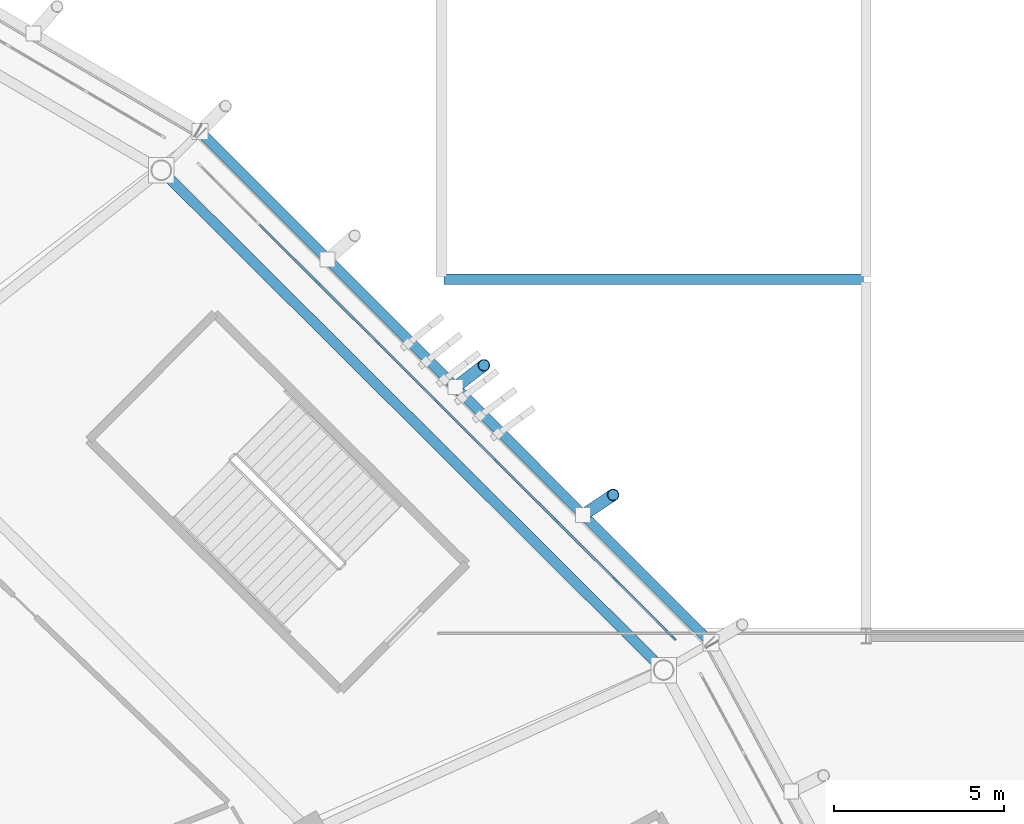
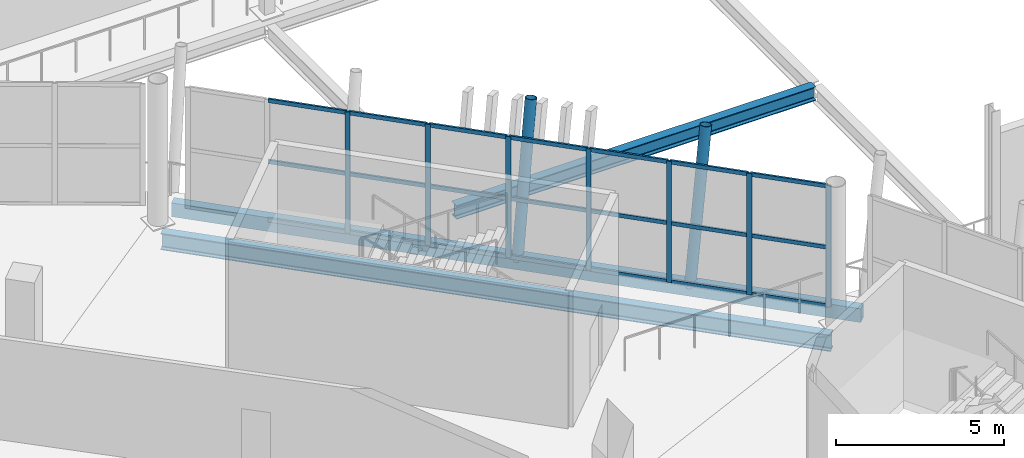
# One storey, part 63 of 178: 30 members, 3 beams, 1 element without a shape of its own.
"""IFC4 building model written with IfcOpenShell, lengths in metres."""

from ifc_helpers import new_model, si_unit, direction, frame, origin, origin_2d, place, context, subcontext, project, spatial, rectangle, hollow_rectangle, hollow_circle, i_section, extrude, material, material_profile, profile_set, type_object, element, aggregate, save


model = new_model("IFC4")

# Units and contexts
model_context = context("Model", 3, precision=1e-05, world=origin(), true_north=direction((0.0, 1.0)))
body_context = subcontext(model_context, "Body", "Model", "MODEL_VIEW")
ifc_project = project(units=[si_unit("LENGTHUNIT", "METRE"), si_unit("AREAUNIT", "SQUARE_METRE"), si_unit("VOLUMEUNIT", "CUBIC_METRE"), si_unit("PLANEANGLEUNIT", "RADIAN"), si_unit("MASSUNIT", "GRAM", prefix="KILO")], contexts=[model_context])

# Site, building, storey
site_placement = place(None, origin())
site = spatial("IfcSite", under=ifc_project, at=site_placement, CompositionType="ELEMENT")
building_placement = place(site_placement, origin())
building = spatial("IfcBuilding", under=site, at=building_placement, Name="Zlatoyarsky Gate Stadium", CompositionType="ELEMENT")
storey_placement = place(building_placement, frame((0.0, 0.0, 5.39990234375)))
storey = spatial("IfcBuildingStorey", under=building, at=storey_placement, Name="L01", CompositionType="ELEMENT", Elevation=5.39990234375)

# Curtain wall, members
ifc_material_1 = material(Name="Thermally broken anodised aluminium curtain wall", Category="aluminium")
curtain_wall_type = type_object("IfcCurtainWallType", Name="UNITISED HOSPITALITY GLAZING L01", PredefinedType="USERDEFINED", material=ifc_material_1)
curtain_wall_placement = place(storey_placement, origin())
curtain_wall = element("IfcCurtainWall", 1, at=curtain_wall_placement, inside=storey, type_object=curtain_wall_type, Name="Curtain wall CW-L01-02", ObjectType="UNITISED GLAZING", PredefinedType="USERDEFINED")
ifc_material_2 = material(Name="Anodised aluminium 6063-T6", Category="aluminium")
ifc_material_profile_1 = material_profile(ifc_material_2, rectangle(XDim=0.06494140625, YDim=0.159912109375, at=origin_2d()), Name="ALU 65X160")
ifc_profile_set_1 = profile_set([ifc_material_profile_1], Name="Anodised aluminium 6063-T6")
member_type_1 = type_object("IfcMemberType", Name="ALUMINIUM MULLION 65X160", PredefinedType="MULLION", material=ifc_profile_set_1)
member_1_placement = place(storey_placement, frame((191.843994140625, 116.436279296875, 0.0), z_axis=(0.0, 0.0, 1.0), x_axis=(-0.706370937898, -0.707841859523, 0.0)))
member_1 = element("IfcMember", 2, at=member_1_placement, type_object=member_type_1, Name="CW-UG1 mullion 1", PredefinedType="MULLION", context=body_context, shape_type="SweptSolid", body=[
    extrude(rectangle(XDim=0.06494140625, YDim=0.159912109375, at=origin_2d()), origin(), (0.0, 0.0, 1.0), 4.400146484375),
])
member_2_placement = place(storey_placement, frame((190.116455078125, 118.16015625, 0.0), z_axis=(0.0, 0.0, 1.0), x_axis=(-0.706370937898, -0.707841859523, 0.0)))
member_2 = element("IfcMember", 3, at=member_2_placement, type_object=member_type_1, Name="CW-UG1 mullion 2", PredefinedType="MULLION", context=body_context, shape_type="SweptSolid", body=[
    extrude(rectangle(XDim=0.06494140625, YDim=0.159912109375, at=origin_2d()), origin(), (0.0, 0.0, 1.0), 4.400146484375),
])
member_3_placement = place(storey_placement, frame((188.3662109375, 119.906982421875, 0.0), z_axis=(0.0, 0.0, 1.0), x_axis=(-0.706370937898, -0.707841859523, 0.0)))
member_3 = element("IfcMember", 4, at=member_3_placement, type_object=member_type_1, Name="CW-UG1 mullion 3", PredefinedType="MULLION", context=body_context, shape_type="SweptSolid", body=[
    extrude(rectangle(XDim=0.06494140625, YDim=0.159912109375, at=origin_2d()), origin(), (0.0, 0.0, 1.0), 4.400146484375),
])
member_4_placement = place(storey_placement, frame((186.61572265625, 121.65380859375, 0.0), z_axis=(0.0, 0.0, 1.0), x_axis=(-0.706370937898, -0.707841859523, 0.0)))
member_4 = element("IfcMember", 5, at=member_4_placement, type_object=member_type_1, Name="CW-UG1 mullion 4", PredefinedType="MULLION", context=body_context, shape_type="SweptSolid", body=[
    extrude(rectangle(XDim=0.06494140625, YDim=0.159912109375, at=origin_2d()), origin(), (0.0, 0.0, 1.0), 4.400146484375),
])
member_5_placement = place(storey_placement, frame((184.865234375, 123.400634765625, 0.0), z_axis=(0.0, 0.0, 1.0), x_axis=(-0.706370937898, -0.707841859523, 0.0)))
member_5 = element("IfcMember", 6, at=member_5_placement, type_object=member_type_1, Name="CW-UG1 mullion 5", PredefinedType="MULLION", context=body_context, shape_type="SweptSolid", body=[
    extrude(rectangle(XDim=0.06494140625, YDim=0.159912109375, at=origin_2d()), origin(), (0.0, 0.0, 1.0), 4.400146484375),
])
member_6_placement = place(storey_placement, frame((183.11474609375, 125.1474609375, 0.0), z_axis=(0.0, 0.0, 1.0), x_axis=(-0.706370937898, -0.707841859523, 0.0)))
member_6 = element("IfcMember", 7, at=member_6_placement, type_object=member_type_1, Name="CW-UG1 mullion 6", PredefinedType="MULLION", context=body_context, shape_type="SweptSolid", body=[
    extrude(rectangle(XDim=0.06494140625, YDim=0.159912109375, at=origin_2d()), origin(), (0.0, 0.0, 1.0), 4.400146484375),
])
member_7_placement = place(storey_placement, frame((181.3642578125, 126.894287109375, 0.0), z_axis=(0.0, 0.0, 1.0), x_axis=(-0.706370937898, -0.707841859523, 0.0)))
member_7 = element("IfcMember", 8, at=member_7_placement, type_object=member_type_1, Name="CW-UG1 mullion 7", PredefinedType="MULLION", context=body_context, shape_type="SweptSolid", body=[
    extrude(rectangle(XDim=0.06494140625, YDim=0.159912109375, at=origin_2d()), origin(), (0.0, 0.0, 1.0), 4.400146484375),
])
ifc_material_profile_2 = material_profile(ifc_material_2, rectangle(XDim=0.06494140625, YDim=0.139892578125, at=origin_2d()), Name="ALU 65X140")
ifc_profile_set_2 = profile_set([ifc_material_profile_2], Name="Anodised aluminium 6063-T6")
member_type_2 = type_object("IfcMemberType", Name="ALUMINIUM TRANSOM 65X140", PredefinedType="USERDEFINED", material=ifc_profile_set_2)
member_8_placement = place(storey_placement, frame((191.821044921875, 116.459228515625, 0.03271484375), z_axis=(-0.707825854859, 0.706386975526, 0.0), x_axis=(-0.706386975526, -0.707825854859, 0.0)))
member_8 = element("IfcMember", 9, at=member_8_placement, type_object=member_type_2, Name="CW-UG1 transom 1.1", ObjectType="TRANSOM", PredefinedType="USERDEFINED", context=body_context, shape_type="SweptSolid", body=[
    extrude(rectangle(XDim=0.06494140625, YDim=0.139892578125, at=origin_2d()), origin(), (0.0, 0.0, 1.0), 2.37548828125),
])
member_9_placement = place(storey_placement, frame((191.821044921875, 116.459228515625, 2.150146484375), z_axis=(-0.707825854859, 0.706386975526, 0.0), x_axis=(-0.706386975526, -0.707825854859, 0.0)))
member_9 = element("IfcMember", 10, at=member_9_placement, type_object=member_type_2, Name="CW-UG1 transom 1.2", ObjectType="TRANSOM", PredefinedType="USERDEFINED", context=body_context, shape_type="SweptSolid", body=[
    extrude(rectangle(XDim=0.06494140625, YDim=0.139892578125, at=origin_2d()), origin(), (0.0, 0.0, 1.0), 2.37548828125),
])
member_10_placement = place(storey_placement, frame((191.821044921875, 116.459228515625, 4.36767578125), z_axis=(-0.707825854859, 0.706386975526, 0.0), x_axis=(-0.706386975526, -0.707825854859, 0.0)))
member_10 = element("IfcMember", 11, at=member_10_placement, type_object=member_type_2, Name="CW-UG1 transom 1.3", ObjectType="TRANSOM", PredefinedType="USERDEFINED", context=body_context, shape_type="SweptSolid", body=[
    extrude(rectangle(XDim=0.06494140625, YDim=0.139892578125, at=origin_2d()), origin(), (0.0, 0.0, 1.0), 2.37548828125),
])
member_11_placement = place(storey_placement, frame((190.093505859375, 118.18310546875, 0.03271484375), z_axis=(-0.707816167604, 0.70639668238, 0.0), x_axis=(-0.70639668238, -0.707816167604, 0.0)))
member_11 = element("IfcMember", 12, at=member_11_placement, type_object=member_type_2, Name="CW-UG1 transom 2.1", ObjectType="TRANSOM", PredefinedType="USERDEFINED", context=body_context, shape_type="SweptSolid", body=[
    extrude(rectangle(XDim=0.06494140625, YDim=0.139892578125, at=origin_2d()), origin(), (0.0, 0.0, 1.0), 2.407958984375),
])
member_12_placement = place(storey_placement, frame((190.093505859375, 118.18310546875, 2.150146484375), z_axis=(-0.707816167604, 0.70639668238, 0.0), x_axis=(-0.70639668238, -0.707816167604, 0.0)))
member_12 = element("IfcMember", 13, at=member_12_placement, type_object=member_type_2, Name="CW-UG1 transom 2.2", ObjectType="TRANSOM", PredefinedType="USERDEFINED", context=body_context, shape_type="SweptSolid", body=[
    extrude(rectangle(XDim=0.06494140625, YDim=0.139892578125, at=origin_2d()), origin(), (0.0, 0.0, 1.0), 2.407958984375),
])
member_13_placement = place(storey_placement, frame((190.093505859375, 118.18310546875, 4.36767578125), z_axis=(-0.707816167604, 0.70639668238, 0.0), x_axis=(-0.70639668238, -0.707816167604, 0.0)))
member_13 = element("IfcMember", 14, at=member_13_placement, type_object=member_type_2, Name="CW-UG1 transom 2.3", ObjectType="TRANSOM", PredefinedType="USERDEFINED", context=body_context, shape_type="SweptSolid", body=[
    extrude(rectangle(XDim=0.06494140625, YDim=0.139892578125, at=origin_2d()), origin(), (0.0, 0.0, 1.0), 2.407958984375),
])
member_14_placement = place(storey_placement, frame((188.343017578125, 119.929931640625, 0.03271484375), z_axis=(-0.707816167604, 0.70639668238, 0.0), x_axis=(-0.70639668238, -0.707816167604, 0.0)))
member_14 = element("IfcMember", 15, at=member_14_placement, type_object=member_type_2, Name="CW-UG1 transom 3.1", ObjectType="TRANSOM", PredefinedType="USERDEFINED", context=body_context, shape_type="SweptSolid", body=[
    extrude(rectangle(XDim=0.06494140625, YDim=0.139892578125, at=origin_2d()), origin(), (0.0, 0.0, 1.0), 2.407958984375),
])
member_15_placement = place(storey_placement, frame((188.343017578125, 119.929931640625, 2.150146484375), z_axis=(-0.707816167604, 0.70639668238, 0.0), x_axis=(-0.70639668238, -0.707816167604, 0.0)))
member_15 = element("IfcMember", 16, at=member_15_placement, type_object=member_type_2, Name="CW-UG1 transom 3.2", ObjectType="TRANSOM", PredefinedType="USERDEFINED", context=body_context, shape_type="SweptSolid", body=[
    extrude(rectangle(XDim=0.06494140625, YDim=0.139892578125, at=origin_2d()), origin(), (0.0, 0.0, 1.0), 2.407958984375),
])
member_16_placement = place(storey_placement, frame((188.343017578125, 119.929931640625, 4.36767578125), z_axis=(-0.707816167604, 0.70639668238, 0.0), x_axis=(-0.70639668238, -0.707816167604, 0.0)))
member_16 = element("IfcMember", 17, at=member_16_placement, type_object=member_type_2, Name="CW-UG1 transom 3.3", ObjectType="TRANSOM", PredefinedType="USERDEFINED", context=body_context, shape_type="SweptSolid", body=[
    extrude(rectangle(XDim=0.06494140625, YDim=0.139892578125, at=origin_2d()), origin(), (0.0, 0.0, 1.0), 2.407958984375),
])
member_17_placement = place(storey_placement, frame((186.592529296875, 121.6767578125, 0.03271484375), z_axis=(-0.707816167604, 0.70639668238, 0.0), x_axis=(-0.70639668238, -0.707816167604, 0.0)))
member_17 = element("IfcMember", 18, at=member_17_placement, type_object=member_type_2, Name="CW-UG1 transom 4.1", ObjectType="TRANSOM", PredefinedType="USERDEFINED", context=body_context, shape_type="SweptSolid", body=[
    extrude(rectangle(XDim=0.06494140625, YDim=0.139892578125, at=origin_2d()), origin(), (0.0, 0.0, 1.0), 2.407958984375),
])
member_18_placement = place(storey_placement, frame((186.592529296875, 121.6767578125, 2.150146484375), z_axis=(-0.707816167604, 0.70639668238, 0.0), x_axis=(-0.70639668238, -0.707816167604, 0.0)))
member_18 = element("IfcMember", 19, at=member_18_placement, type_object=member_type_2, Name="CW-UG1 transom 4.2", ObjectType="TRANSOM", PredefinedType="USERDEFINED", context=body_context, shape_type="SweptSolid", body=[
    extrude(rectangle(XDim=0.06494140625, YDim=0.139892578125, at=origin_2d()), origin(), (0.0, 0.0, 1.0), 2.407958984375),
])
member_19_placement = place(storey_placement, frame((186.592529296875, 121.6767578125, 4.36767578125), z_axis=(-0.707816167604, 0.70639668238, 0.0), x_axis=(-0.70639668238, -0.707816167604, 0.0)))
member_19 = element("IfcMember", 20, at=member_19_placement, type_object=member_type_2, Name="CW-UG1 transom 4.3", ObjectType="TRANSOM", PredefinedType="USERDEFINED", context=body_context, shape_type="SweptSolid", body=[
    extrude(rectangle(XDim=0.06494140625, YDim=0.139892578125, at=origin_2d()), origin(), (0.0, 0.0, 1.0), 2.407958984375),
])
member_20_placement = place(storey_placement, frame((184.84228515625, 123.423583984375, 0.03271484375), z_axis=(-0.707866756289, 0.706345988408, 0.0), x_axis=(-0.706345988408, -0.707866756289, 0.0)))
member_20 = element("IfcMember", 21, at=member_20_placement, type_object=member_type_2, Name="CW-UG1 transom 5.1", ObjectType="TRANSOM", PredefinedType="USERDEFINED", context=body_context, shape_type="SweptSolid", body=[
    extrude(rectangle(XDim=0.06494140625, YDim=0.139892578125, at=origin_2d()), origin(), (0.0, 0.0, 1.0), 2.407958984375),
])
member_21_placement = place(storey_placement, frame((184.84228515625, 123.423583984375, 2.150146484375), z_axis=(-0.707866756289, 0.706345988408, 0.0), x_axis=(-0.706345988408, -0.707866756289, 0.0)))
member_21 = element("IfcMember", 22, at=member_21_placement, type_object=member_type_2, Name="CW-UG1 transom 5.2", ObjectType="TRANSOM", PredefinedType="USERDEFINED", context=body_context, shape_type="SweptSolid", body=[
    extrude(rectangle(XDim=0.06494140625, YDim=0.139892578125, at=origin_2d()), origin(), (0.0, 0.0, 1.0), 2.407958984375),
])
member_22_placement = place(storey_placement, frame((184.84228515625, 123.423583984375, 4.36767578125), z_axis=(-0.707866756289, 0.706345988408, 0.0), x_axis=(-0.706345988408, -0.707866756289, 0.0)))
member_22 = element("IfcMember", 23, at=member_22_placement, type_object=member_type_2, Name="CW-UG1 transom 5.3", ObjectType="TRANSOM", PredefinedType="USERDEFINED", context=body_context, shape_type="SweptSolid", body=[
    extrude(rectangle(XDim=0.06494140625, YDim=0.139892578125, at=origin_2d()), origin(), (0.0, 0.0, 1.0), 2.407958984375),
])
member_23_placement = place(storey_placement, frame((183.091796875, 125.17041015625, 0.03271484375), z_axis=(-0.707866756289, 0.706345988408, 0.0), x_axis=(-0.706345988408, -0.707866756289, 0.0)))
member_23 = element("IfcMember", 24, at=member_23_placement, type_object=member_type_2, Name="CW-UG1 transom 6.1", ObjectType="TRANSOM", PredefinedType="USERDEFINED", context=body_context, shape_type="SweptSolid", body=[
    extrude(rectangle(XDim=0.06494140625, YDim=0.139892578125, at=origin_2d()), origin(), (0.0, 0.0, 1.0), 2.407958984375),
])
member_24_placement = place(storey_placement, frame((183.091796875, 125.17041015625, 2.150146484375), z_axis=(-0.707866756289, 0.706345988408, 0.0), x_axis=(-0.706345988408, -0.707866756289, 0.0)))
member_24 = element("IfcMember", 25, at=member_24_placement, type_object=member_type_2, Name="CW-UG1 transom 6.2", ObjectType="TRANSOM", PredefinedType="USERDEFINED", context=body_context, shape_type="SweptSolid", body=[
    extrude(rectangle(XDim=0.06494140625, YDim=0.139892578125, at=origin_2d()), origin(), (0.0, 0.0, 1.0), 2.407958984375),
])
member_25_placement = place(storey_placement, frame((183.091796875, 125.17041015625, 4.36767578125), z_axis=(-0.707866756289, 0.706345988408, 0.0), x_axis=(-0.706345988408, -0.707866756289, 0.0)))
member_25 = element("IfcMember", 26, at=member_25_placement, type_object=member_type_2, Name="CW-UG1 transom 6.3", ObjectType="TRANSOM", PredefinedType="USERDEFINED", context=body_context, shape_type="SweptSolid", body=[
    extrude(rectangle(XDim=0.06494140625, YDim=0.139892578125, at=origin_2d()), origin(), (0.0, 0.0, 1.0), 2.407958984375),
])
member_26_placement = place(storey_placement, frame((181.34130859375, 126.917236328125, 0.03271484375), z_axis=(-0.707816167604, 0.70639668238, 0.0), x_axis=(-0.70639668238, -0.707816167604, 0.0)))
member_26 = element("IfcMember", 27, at=member_26_placement, type_object=member_type_2, Name="CW-UG1 transom 7.1", ObjectType="TRANSOM", PredefinedType="USERDEFINED", context=body_context, shape_type="SweptSolid", body=[
    extrude(rectangle(XDim=0.06494140625, YDim=0.139892578125, at=origin_2d()), origin(), (0.0, 0.0, 1.0), 2.407958984375),
])
member_27_placement = place(storey_placement, frame((181.34130859375, 126.917236328125, 2.150146484375), z_axis=(-0.707816167604, 0.70639668238, 0.0), x_axis=(-0.70639668238, -0.707816167604, 0.0)))
member_27 = element("IfcMember", 28, at=member_27_placement, type_object=member_type_2, Name="CW-UG1 transom 7.2", ObjectType="TRANSOM", PredefinedType="USERDEFINED", context=body_context, shape_type="SweptSolid", body=[
    extrude(rectangle(XDim=0.06494140625, YDim=0.139892578125, at=origin_2d()), origin(), (0.0, 0.0, 1.0), 2.407958984375),
])
member_28_placement = place(storey_placement, frame((181.34130859375, 126.917236328125, 4.36767578125), z_axis=(-0.707816167604, 0.70639668238, 0.0), x_axis=(-0.70639668238, -0.707816167604, 0.0)))
member_28 = element("IfcMember", 29, at=member_28_placement, type_object=member_type_2, Name="CW-UG1 transom 7.3", ObjectType="TRANSOM", PredefinedType="USERDEFINED", context=body_context, shape_type="SweptSolid", body=[
    extrude(rectangle(XDim=0.06494140625, YDim=0.139892578125, at=origin_2d()), origin(), (0.0, 0.0, 1.0), 2.407958984375),
])
aggregate(curtain_wall, [member_1, member_2, member_3, member_4, member_5, member_6, member_7, member_8, member_9, member_10, member_11, member_12, member_13, member_14, member_15, member_16, member_17, member_18, member_19, member_20, member_21, member_22, member_23, member_24, member_25, member_26, member_27, member_28])

# Members
ifc_material_3 = material(Name="Steel S355", Category="steel")
ifc_material_profile_3 = material_profile(ifc_material_3, hollow_circle(Radius=0.177734375, WallThickness=0.02001953125, at=origin_2d()), Name="CHS 355.6X20")
ifc_profile_set_3 = profile_set([ifc_material_profile_3], Name="Steel S355")
member_type_3 = type_object("IfcMemberType", Name="STEEL LEANING RIB RING STRUT CHS 355.6X20", PredefinedType="STRUT", material=ifc_profile_set_3)
member_29_placement = place(storey_placement, frame((189.174560546875, 120.063720703125, -0.5498046875), z_axis=(0.165598335218, 0.110551670231, 0.979977305646), x_axis=(-0.555231303326, 0.831695977992, 0.0)))
element("IfcMember", 30, at=member_29_placement, inside=storey, type_object=member_type_3, Name="Outward-leaning bowl louvre fin rib L01 02-1", PredefinedType="STRUT", context=body_context, shape_type="SweptSolid", body=[
    extrude(hollow_circle(Radius=0.177734375, WallThickness=0.02001953125, at=origin_2d()), origin(), (0.0, 0.0, 1.0), 5.32666015625),
])
member_30_placement = place(storey_placement, frame((185.416015625, 123.822998046875, -0.5498046875), z_axis=(0.157591840182, 0.120967093147, 0.980067229471), x_axis=(-0.608896451371, 0.793249715731, 0.0)))
element("IfcMember", 31, at=member_30_placement, inside=storey, type_object=member_type_3, Name="Outward-leaning bowl louvre fin rib L01 02-2", PredefinedType="STRUT", context=body_context, shape_type="SweptSolid", body=[
    extrude(hollow_circle(Radius=0.177734375, WallThickness=0.02001953125, at=origin_2d()), origin(), (0.0, 0.0, 1.0), 5.326171875),
])

# Beams
ifc_material_profile_4 = material_profile(ifc_material_3, hollow_rectangle(XDim=0.300048828125, YDim=0.5, WallThickness=0.02001953125, at=origin_2d()), Name="RHS 500X300X20")
ifc_profile_set_4 = profile_set([ifc_material_profile_4], Name="Steel S355")
beam_type_1 = type_object("IfcBeamType", Name="STEEL LOUVRE CARRIER SPANDREL RHS 500X300X20", PredefinedType="SPANDREL", material=ifc_profile_set_4)
beam_1_placement = place(storey_placement, frame((192.919189453125, 116.318359375, -0.5498046875), z_axis=(-0.707043513905, 0.707170042808, 0.0), x_axis=(-0.707170042808, -0.707043513905, 0.0)))
element("IfcBeam", 32, at=beam_1_placement, inside=storey, type_object=beam_type_1, Name="Beam SP-RHS500 BM-L01-SPD-02", PredefinedType="SPANDREL", context=body_context, shape_type="SweptSolid", body=[
    extrude(hollow_rectangle(XDim=0.300048828125, YDim=0.5, WallThickness=0.02001953125, at=origin_2d()), origin(), (0.0, 0.0, 1.0), 21.224853515625),
])
ifc_material_profile_5 = material_profile(ifc_material_3, i_section(OverallWidth=0.300048828125, OverallDepth=0.5, WebThickness=0.014404296875, FlangeThickness=0.028076171875, FilletRadius=0.027099609375, at=origin_2d()), Name="HEB 500")
ifc_profile_set_5 = profile_set([ifc_material_profile_5], Name="Steel S355")
beam_type_2 = type_object("IfcBeamType", Name="STEEL PRIMARY GIRDER HEB 500", PredefinedType="BEAM", material=ifc_profile_set_5)
beam_2_placement = place(storey_placement, frame((185.080078125, 127.0, -0.5498046875), z_axis=(1.0, 0.0, 0.0), x_axis=(0.0, 1.0, 0.0)))
element("IfcBeam", 33, at=beam_2_placement, inside=storey, type_object=beam_type_2, Name="Beam G-HEB500 BM-L01-WGX-16-M", PredefinedType="BEAM", context=body_context, shape_type="SweptSolid", body=[
    extrude(i_section(OverallWidth=0.300048828125, OverallDepth=0.5, WebThickness=0.014404296875, FlangeThickness=0.028076171875, FilletRadius=0.027099609375, at=origin_2d()), origin(), (0.0, 0.0, 1.0), 12.33984375),
])
ifc_material_profile_6 = material_profile(ifc_material_3, i_section(OverallWidth=0.300048828125, OverallDepth=0.60009765625, WebThickness=0.015380859375, FlangeThickness=0.030029296875, FilletRadius=0.027099609375, at=origin_2d()), Name="HEB 600")
ifc_profile_set_6 = profile_set([ifc_material_profile_6], Name="Steel S355")
beam_type_3 = type_object("IfcBeamType", Name="STEEL PRIMARY GIRDER HEB 600", PredefinedType="BEAM", material=ifc_profile_set_6)
beam_3_placement = place(storey_placement, frame((191.455322265625, 115.584716796875, -0.599853515625), z_axis=(-0.708899260134, 0.705309746835, 0.0), x_axis=(-0.705309746835, -0.708899260134, 0.0)))
element("IfcBeam", 34, at=beam_3_placement, inside=storey, type_object=beam_type_3, Name="Beam G-HEB600 BM-L01-CRC-02", PredefinedType="BEAM", context=body_context, shape_type="SweptSolid", body=[
    extrude(i_section(OverallWidth=0.300048828125, OverallDepth=0.60009765625, WebThickness=0.015380859375, FlangeThickness=0.030029296875, FilletRadius=0.027099609375, at=origin_2d()), origin(), (0.0, 0.0, 1.0), 20.608642578125),
])

save(model, "model.ifc")
